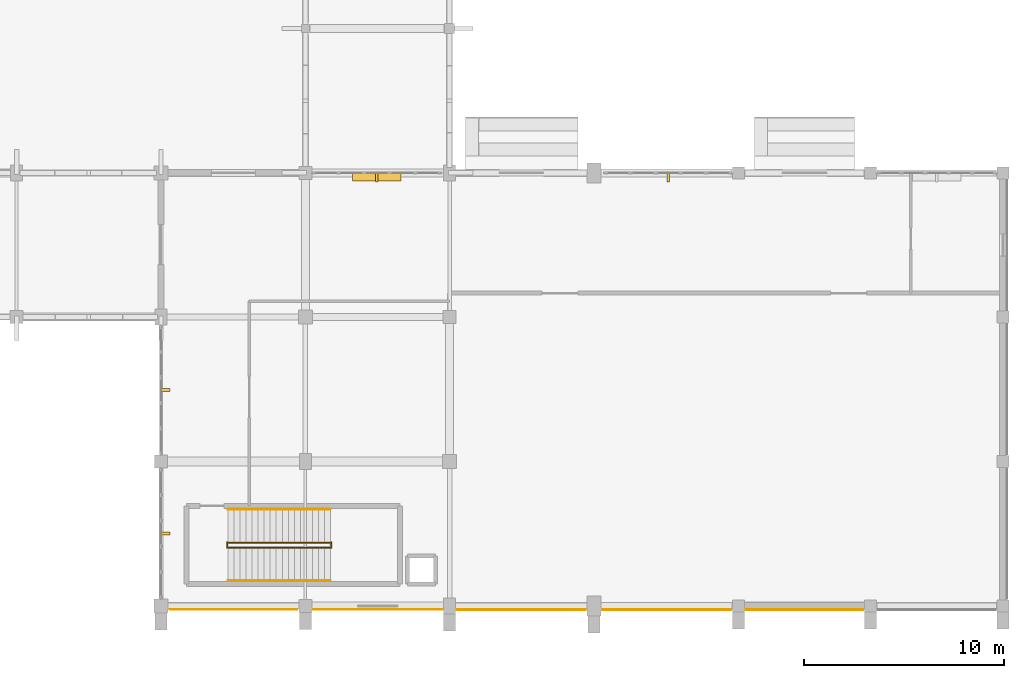
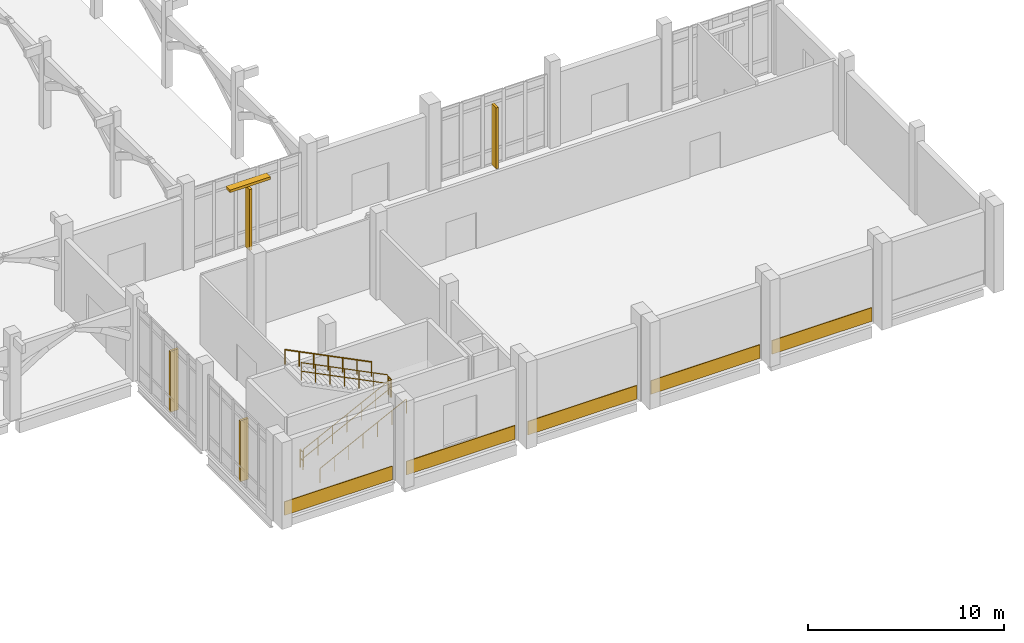
# One storey, part 103 of 110: 6 railings, 5 coverings, 5 shading devices.
"""IFC4 building model written with IfcOpenShell, lengths in metres."""

from ifc_helpers import new_model, si_unit, direction, frame, origin, origin_2d, place, context, subcontext, project, spatial, rectangle, circle, extrude, material, layer, layer_set, type_object, element, save


model = new_model("IFC4")

# Units and contexts
model_context = context("Model", 3, precision=1e-05, world=origin(), true_north=direction((0.0, 1.0)))
body_context = subcontext(model_context, "Body", "Model", "MODEL_VIEW")
ifc_project = project(units=[si_unit("LENGTHUNIT", "METRE"), si_unit("AREAUNIT", "SQUARE_METRE"), si_unit("VOLUMEUNIT", "CUBIC_METRE"), si_unit("PLANEANGLEUNIT", "RADIAN"), si_unit("MASSUNIT", "GRAM", prefix="KILO")], contexts=[model_context])

# Site, building, storey
site_placement = place(None, origin())
site = spatial("IfcSite", under=ifc_project, at=site_placement, CompositionType="ELEMENT")
building_placement = place(site_placement, origin())
building = spatial("IfcBuilding", under=site, at=building_placement, Name="Kalluvel Institute of Natural Sciences", CompositionType="ELEMENT")
storey_placement = place(building_placement, origin())
storey = spatial("IfcBuildingStorey", under=building, at=storey_placement, Name="L00", CompositionType="ELEMENT", Elevation=0.0)

# Coverings
ifc_material_1 = material(Name="Sadarahalli Grey Granite Ashlar Concrete M40", Category="masonry")
ifc_layer = layer(ifc_material_1, 0.044921875)
ifc_layer_set = layer_set([ifc_layer], Name="Sadarahalli Grey Granite Ashlar Concrete M40")
covering_type = type_object("IfcCoveringType", Name="COV-CLAD-STONE", PredefinedType="CLADDING", material=ifc_layer_set)
covering_1_placement = place(storey_placement, frame((104.012451171875, 13.820068359375, 0.02490234375), z_axis=(0.0, 0.0, 1.0), x_axis=(1.0, 0.0, 0.0)))
element("IfcCovering", 1, at=covering_1_placement, inside=storey, type_object=covering_type, Name="L00 Sadarahalli granite plinth spandrel cladding 201", PredefinedType="CLADDING", context=body_context, shape_type="SweptSolid", body=[
    extrude(rectangle(XDim=6.364990234375, YDim=0.044921875, at=origin_2d()), origin(), (0.0, 0.0, 1.0), 0.85009765625),
])
covering_2_placement = place(storey_placement, frame((111.21240234375, 13.820068359375, 0.02490234375), z_axis=(0.0, 0.0, 1.0), x_axis=(1.0, 0.0, 0.0)))
element("IfcCovering", 2, at=covering_2_placement, inside=storey, type_object=covering_type, Name="L00 Sadarahalli granite plinth spandrel cladding 202", PredefinedType="CLADDING", context=body_context, shape_type="SweptSolid", body=[
    extrude(rectangle(XDim=6.4150390625, YDim=0.044921875, at=origin_2d()), origin(), (0.0, 0.0, 1.0), 0.85009765625),
])
for number, where, z_axis, x_axis, name in (
    (3, (118.375, 13.800048828125, 0.02490234375), (0.0, 0.0, 1.0), (1.0, 0.0, 0.0), "L00 Sadarahalli granite plinth spandrel cladding 361"),
    (4, (125.625, 13.800048828125, 0.02490234375), (0.0, 0.0, 1.0), (1.0, 0.0, 0.0), "L00 Sadarahalli granite plinth spandrel cladding 362"),
):
    element("IfcCovering", number, at=place(storey_placement, frame(where, z_axis=z_axis, x_axis=x_axis)), inside=storey, type_object=covering_type, Name=name, PredefinedType="CLADDING", context=body_context, shape_type="SweptSolid", body=[
        extrude(rectangle(XDim=6.429931640625, YDim=0.044921875, at=origin_2d()), origin(), (0.0, 0.0, 1.0), 0.85009765625),
    ])
covering_3_placement = place(storey_placement, frame((132.5, 13.800048828125, 0.02490234375), z_axis=(0.0, 0.0, 1.0), x_axis=(1.0, 0.0, 0.0)))
element("IfcCovering", 5, at=covering_3_placement, inside=storey, type_object=covering_type, Name="L00 Sadarahalli granite plinth spandrel cladding 363", PredefinedType="CLADDING", context=body_context, shape_type="SweptSolid", body=[
    extrude(rectangle(XDim=5.8798828125, YDim=0.044921875, at=origin_2d()), origin(), (0.0, 0.0, 1.0), 0.85009765625),
])

# Railings
ifc_material_2 = material(Name="Galvanized Fire-Rated Steel", Category="steel")
railing_type_1 = type_object("IfcRailingType", Name="RL-GD-STAIR", PredefinedType="BALUSTRADE", material=ifc_material_2)
railing_1_placement = place(storey_placement, frame((103.75, 16.909912109375, 0.14990234375)))
element("IfcRailing", 6, at=railing_1_placement, inside=storey, type_object=railing_type_1, Name="L00 ST7 stair guard 1", PredefinedType="BALUSTRADE", context=body_context, shape_type="SweptSolid", body=[
    extrude(circle(Radius=0.02392578125, at=origin_2d()), frame((0.0, 0.0, 1.09619140625), z_axis=(0.894427191, 0.0, 0.4472135955), x_axis=(0.0, 1.0, 0.0)), (0.0, 0.0, 1.0), 5.7021484375),
    extrude(circle(Radius=0.02392578125, at=origin_2d()), frame((0.0, 0.0, 0.56005859375), z_axis=(0.894427191, 0.0, 0.4472135955), x_axis=(0.0, 1.0, 0.0)), (0.0, 0.0, 1.0), 5.7021484375),
    extrude(circle(Radius=0.02099609375, at=origin_2d()), origin(), (0.0, 0.0, 1.0), 1.072021484375),
    extrude(circle(Radius=0.02099609375, at=origin_2d()), frame((0.85009765625, 0.0, 0.425048828125)), (0.0, 0.0, 1.0), 1.072021484375),
    extrude(circle(Radius=0.02099609375, at=origin_2d()), frame((1.699951171875, 0.0, 0.85009765625)), (0.0, 0.0, 1.0), 1.072021484375),
    extrude(circle(Radius=0.02099609375, at=origin_2d()), frame((2.550048828125, 0.0, 1.27490234375)), (0.0, 0.0, 1.0), 1.072021484375),
    extrude(circle(Radius=0.02099609375, at=origin_2d()), frame((3.400146484375, 0.0, 1.699951171875)), (0.0, 0.0, 1.0), 1.072021484375),
    extrude(circle(Radius=0.02099609375, at=origin_2d()), frame((4.25, 0.0, 2.125)), (0.0, 0.0, 1.0), 1.072021484375),
    extrude(circle(Radius=0.02099609375, at=origin_2d()), frame((5.10009765625, 0.0, 2.550048828125)), (0.0, 0.0, 1.0), 1.072021484375),
])
railing_2_placement = place(storey_placement, frame((108.89990234375, 16.89501953125, 2.699951171875)))
element("IfcRailing", 7, at=railing_2_placement, inside=storey, type_object=railing_type_1, Name="L00 ST7 stair guard 2", PredefinedType="BALUSTRADE", context=body_context, shape_type="SweptSolid", body=[
    extrude(circle(Radius=0.02392578125, at=origin_2d()), frame((0.0, 0.0, 1.09619140625), z_axis=(0.0, 1.0, 0.0), x_axis=(-1.0, 0.0, 0.0)), (0.0, 0.0, 1.0), 0.280029296875),
    extrude(circle(Radius=0.02392578125, at=origin_2d()), frame((0.0, 0.0, 0.56005859375), z_axis=(0.0, 1.0, 0.0), x_axis=(-1.0, 0.0, 0.0)), (0.0, 0.0, 1.0), 0.280029296875),
    extrude(circle(Radius=0.02099609375, at=origin_2d()), origin(), (0.0, 0.0, 1.0), 1.072021484375),
    extrude(circle(Radius=0.02099609375, at=origin_2d()), frame((0.0, 0.280029296875, 0.0)), (0.0, 0.0, 1.0), 1.072021484375),
])
railing_3_placement = place(storey_placement, frame((108.85009765625, 17.159912109375, 2.85009765625)))
element("IfcRailing", 8, at=railing_3_placement, inside=storey, type_object=railing_type_1, Name="L00 ST7 stair guard 3", PredefinedType="BALUSTRADE", context=body_context, shape_type="SweptSolid", body=[
    extrude(circle(Radius=0.02392578125, at=origin_2d()), frame((0.0, 0.0, 1.09619140625), z_axis=(-0.89444431709, 0.0, 0.44717934168), x_axis=(0.0, -1.0, 0.0)), (0.0, 0.0, 1.0), 5.701904296875),
    extrude(circle(Radius=0.02392578125, at=origin_2d()), frame((0.0, 0.0, 0.56005859375), z_axis=(-0.89444431709, 0.0, 0.44717934168), x_axis=(0.0, -1.0, 0.0)), (0.0, 0.0, 1.0), 5.701904296875),
    extrude(circle(Radius=0.02099609375, at=origin_2d()), origin(), (0.0, 0.0, 1.0), 1.072021484375),
    extrude(circle(Radius=0.02099609375, at=origin_2d()), frame((-0.85009765625, 0.0, 0.425048828125)), (0.0, 0.0, 1.0), 1.072021484375),
    extrude(circle(Radius=0.02099609375, at=origin_2d()), frame((-1.699951171875, 0.0, 0.849853515625)), (0.0, 0.0, 1.0), 1.072021484375),
    extrude(circle(Radius=0.02099609375, at=origin_2d()), frame((-2.550048828125, 0.0, 1.27490234375)), (0.0, 0.0, 1.0), 1.072021484375),
    extrude(circle(Radius=0.02099609375, at=origin_2d()), frame((-3.400146484375, 0.0, 1.699951171875)), (0.0, 0.0, 1.0), 1.072021484375),
    extrude(circle(Radius=0.02099609375, at=origin_2d()), frame((-4.25, 0.0, 2.124755859375)), (0.0, 0.0, 1.0), 1.072021484375),
    extrude(circle(Radius=0.02099609375, at=origin_2d()), frame((-5.10009765625, 0.0, 2.5498046875)), (0.0, 0.0, 1.0), 1.072021484375),
])
railing_4_placement = place(storey_placement, frame((103.699951171875, 16.89501953125, 0.0)))
element("IfcRailing", 9, at=railing_4_placement, inside=storey, type_object=railing_type_1, Name="L00 ST7 stair guard 4", PredefinedType="BALUSTRADE", context=body_context, shape_type="SweptSolid", body=[
    extrude(circle(Radius=0.02392578125, at=origin_2d()), frame((0.0, 0.0, 1.09619140625), z_axis=(0.0, 1.0, 0.0), x_axis=(-1.0, 0.0, 0.0)), (0.0, 0.0, 1.0), 0.280029296875),
    extrude(circle(Radius=0.02392578125, at=origin_2d()), frame((0.0, 0.0, 0.56005859375), z_axis=(0.0, 1.0, 0.0), x_axis=(-1.0, 0.0, 0.0)), (0.0, 0.0, 1.0), 0.280029296875),
    extrude(circle(Radius=0.02099609375, at=origin_2d()), origin(), (0.0, 0.0, 1.0), 1.072021484375),
    extrude(circle(Radius=0.02099609375, at=origin_2d()), frame((0.0, 0.280029296875, 0.0)), (0.0, 0.0, 1.0), 1.072021484375),
])
railing_type_2 = type_object("IfcRailingType", Name="RL-HR-STAIR", PredefinedType="HANDRAIL", material=ifc_material_2)
railing_5_placement = place(storey_placement, frame((103.75, 15.25, 0.14990234375)))
element("IfcRailing", 10, at=railing_5_placement, inside=storey, type_object=railing_type_2, Name="L00 ST7 stair handrail 1", PredefinedType="HANDRAIL", context=body_context, shape_type="SweptSolid", body=[
    extrude(circle(Radius=0.02392578125, at=origin_2d()), frame((0.0, 0.0, 0.89599609375), z_axis=(0.894427191, 0.0, 0.4472135955), x_axis=(0.0, 1.0, 0.0)), (0.0, 0.0, 1.0), 5.7021484375),
    extrude(circle(Radius=0.02099609375, at=origin_2d()), origin(), (0.0, 0.0, 1.0), 0.871826171875),
    extrude(circle(Radius=0.02099609375, at=origin_2d()), frame((0.85009765625, 0.0, 0.425048828125)), (0.0, 0.0, 1.0), 0.871826171875),
    extrude(circle(Radius=0.02099609375, at=origin_2d()), frame((1.699951171875, 0.0, 0.85009765625)), (0.0, 0.0, 1.0), 0.871826171875),
    extrude(circle(Radius=0.02099609375, at=origin_2d()), frame((2.550048828125, 0.0, 1.27490234375)), (0.0, 0.0, 1.0), 0.871826171875),
    extrude(circle(Radius=0.02099609375, at=origin_2d()), frame((3.400146484375, 0.0, 1.699951171875)), (0.0, 0.0, 1.0), 0.871826171875),
    extrude(circle(Radius=0.02099609375, at=origin_2d()), frame((4.25, 0.0, 2.125)), (0.0, 0.0, 1.0), 0.871826171875),
    extrude(circle(Radius=0.02099609375, at=origin_2d()), frame((5.10009765625, 0.0, 2.550048828125)), (0.0, 0.0, 1.0), 0.871826171875),
])
railing_6_placement = place(storey_placement, frame((108.85009765625, 18.820068359375, 2.85009765625)))
element("IfcRailing", 11, at=railing_6_placement, inside=storey, type_object=railing_type_2, Name="L00 ST7 stair handrail 2", PredefinedType="HANDRAIL", context=body_context, shape_type="SweptSolid", body=[
    extrude(circle(Radius=0.02392578125, at=origin_2d()), frame((0.0, 0.0, 0.89599609375), z_axis=(-0.89444431709, 0.0, 0.44717934168), x_axis=(0.0, -1.0, 0.0)), (0.0, 0.0, 1.0), 5.701904296875),
    extrude(circle(Radius=0.02099609375, at=origin_2d()), origin(), (0.0, 0.0, 1.0), 0.871826171875),
    extrude(circle(Radius=0.02099609375, at=origin_2d()), frame((-0.85009765625, 0.0, 0.425048828125)), (0.0, 0.0, 1.0), 0.871826171875),
    extrude(circle(Radius=0.02099609375, at=origin_2d()), frame((-1.699951171875, 0.0, 0.849853515625)), (0.0, 0.0, 1.0), 0.871826171875),
    extrude(circle(Radius=0.02099609375, at=origin_2d()), frame((-2.550048828125, 0.0, 1.27490234375)), (0.0, 0.0, 1.0), 0.871826171875),
    extrude(circle(Radius=0.02099609375, at=origin_2d()), frame((-3.400146484375, 0.0, 1.699951171875)), (0.0, 0.0, 1.0), 0.871826171875),
    extrude(circle(Radius=0.02099609375, at=origin_2d()), frame((-4.25, 0.0, 2.124755859375)), (0.0, 0.0, 1.0), 0.871826171875),
    extrude(circle(Radius=0.02099609375, at=origin_2d()), frame((-5.10009765625, 0.0, 2.5498046875)), (0.0, 0.0, 1.0), 0.871826171875),
])

# Shading devices
shading_device_type_1 = type_object("IfcShadingDeviceType", Name="SHD-FIN-STONE", PredefinedType="USERDEFINED", material=ifc_material_1)
for number, where, z_axis, x_axis, name in (
    (12, (111.16259765625, 35.3798828125, 0.0), (0.0, 0.0, 1.0), (1.0, 0.0, 0.0), "L00 monsoon lancet shading fin 222"),
    (13, (100.6201171875, 17.612548828125, 0.0), (0.0, 0.0, 1.0), (0.0, 1.0, 0.0), "L00 monsoon lancet shading fin 224"),
    (14, (100.6201171875, 24.762451171875, 0.0), (0.0, 0.0, 1.0), (0.0, 1.0, 0.0), "L00 monsoon lancet shading fin 225"),
    (15, (125.699951171875, 35.3798828125, 0.0), (0.0, 0.0, 1.0), (1.0, 0.0, 0.0), "L00 monsoon lancet shading fin 260"),
):
    element("IfcShadingDevice", number, at=place(storey_placement, frame(where, z_axis=z_axis, x_axis=x_axis)), inside=storey, type_object=shading_device_type_1, Name=name, ObjectType="MONSOON FIN", PredefinedType="USERDEFINED", context=body_context, shape_type="SweptSolid", body=[
        extrude(rectangle(XDim=0.139892578125, YDim=0.47998046875, at=origin_2d()), origin(), (0.0, 0.0, 1.0), 3.800048828125),
    ])
ifc_material_3 = material(Name="Aluminium AW-6063 T6", Category="aluminium")
shading_device_type_2 = type_object("IfcShadingDeviceType", Name="SHD-LOUV-ALU", PredefinedType="JALOUSIE", material=ifc_material_3)
shading_device_placement = place(storey_placement, frame((111.16259765625, 35.39990234375, 3.97021484375), z_axis=(0.0, 0.0, 1.0), x_axis=(1.0, 0.0, 0.0)))
element("IfcShadingDevice", 16, at=shading_device_placement, inside=storey, type_object=shading_device_type_2, Name="L00 aluminium sun-shading louvre 223", PredefinedType="JALOUSIE", context=body_context, shape_type="SweptSolid", body=[
    extrude(rectangle(XDim=2.39990234375, YDim=0.419921875, at=origin_2d()), origin(), (0.0, 0.0, 1.0), 0.159912109375),
])

save(model, "model.ifc")
